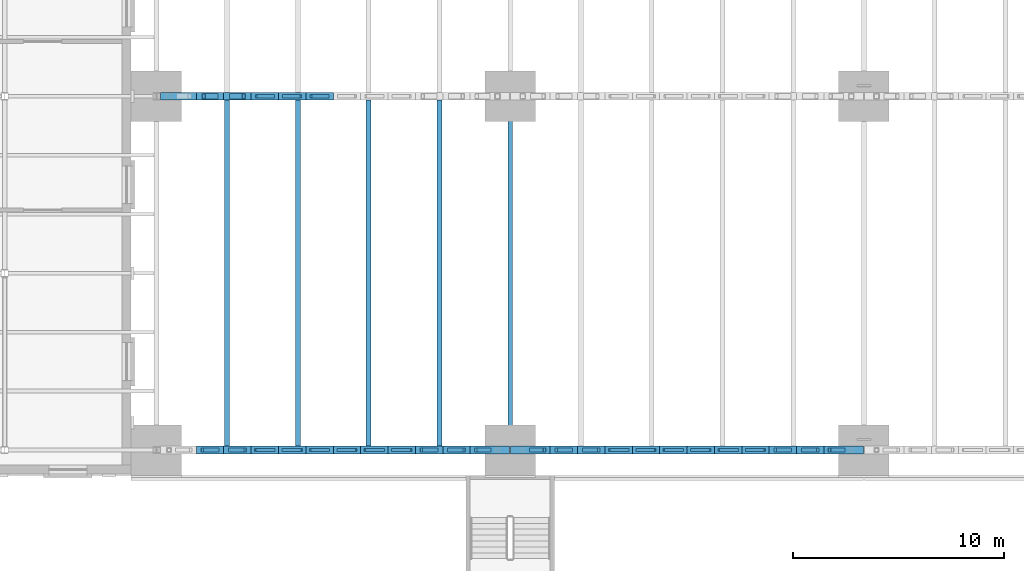
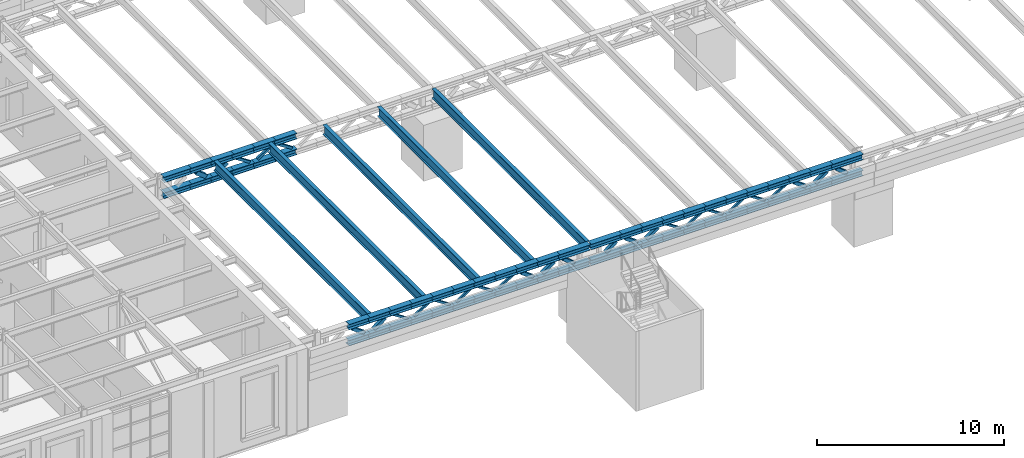
# One storey, part 17 of 93: 86 members, 5 beams.
"""IFC4 building model written with IfcOpenShell, lengths in metres."""

from ifc_helpers import new_model, si_unit, direction, frame, origin, origin_2d, place, context, subcontext, project, spatial, hollow_rectangle, i_section, extrude, material, material_profile, profile_set, type_object, element, save


model = new_model("IFC4")

# Units and contexts
model_context = context("Model", 3, precision=1e-05, world=origin(), true_north=direction((0.0, 1.0)))
body_context = subcontext(model_context, "Body", "Model", "MODEL_VIEW")
ifc_project = project(units=[si_unit("LENGTHUNIT", "METRE"), si_unit("AREAUNIT", "SQUARE_METRE"), si_unit("VOLUMEUNIT", "CUBIC_METRE"), si_unit("PLANEANGLEUNIT", "RADIAN"), si_unit("MASSUNIT", "GRAM", prefix="KILO")], contexts=[model_context])

# Site, building, storey
site_placement = place(None, origin())
site = spatial("IfcSite", under=ifc_project, at=site_placement, CompositionType="ELEMENT")
building_placement = place(site_placement, origin())
building = spatial("IfcBuilding", under=site, at=building_placement, Name="Verrick Yard Athletic Hall", CompositionType="ELEMENT")
storey_placement = place(building_placement, frame((0.0, 0.0, 8.800048828125)))
storey = spatial("IfcBuildingStorey", under=building, at=storey_placement, Name="L02", CompositionType="ELEMENT", Elevation=8.800048828125)

# Members
ifc_material_1 = material(Name="Structural steel 350W (CSA G40.21)", Category="steel")
ifc_material_profile_1 = material_profile(ifc_material_1, i_section(OverallWidth=0.368896484375, OverallDepth=0.35595703125, WebThickness=0.01123046875, FlangeThickness=0.01806640625, at=origin_2d()), Name="W360x134")
ifc_profile_set_1 = profile_set([ifc_material_profile_1], Name="Structural steel 350W (CSA G40.21)")
member_type_1 = type_object("IfcMemberType", Name="STR Edge truss bottom chord W360x134", PredefinedType="CHORD", material=ifc_profile_set_1)
for number, where, z_axis, x_axis, name in (
    (1, (41.89990234375, 19.199951171875, 3.827880859375), (1.0, 0.0, 0.0), (0.0, 1.0, 0.0), "STR-BC-GA1-2"),
    (2, (43.199951171875, 19.199951171875, 3.827880859375), (1.0, 0.0, 0.0), (0.0, 1.0, 0.0), "STR-BC-GA1-3"),
    (3, (44.5, 19.199951171875, 3.827880859375), (1.0, 0.0, 0.0), (0.0, 1.0, 0.0), "STR-BC-GA1-4"),
    (4, (45.800048828125, 19.199951171875, 3.827880859375), (1.0, 0.0, 0.0), (0.0, 1.0, 0.0), "STR-BC-GA1-5"),
):
    element("IfcMember", number, at=place(storey_placement, frame(where, z_axis=z_axis, x_axis=x_axis)), inside=storey, type_object=member_type_1, Name=name, PredefinedType="CHORD", context=body_context, shape_type="SweptSolid", body=[
        extrude(i_section(OverallWidth=0.368896484375, OverallDepth=0.35595703125, WebThickness=0.01123046875, FlangeThickness=0.01806640625, at=origin_2d()), origin(), (0.0, 0.0, 1.0), 1.300048828125),
    ])
member_1_placement = place(storey_placement, frame((47.10009765625, 19.199951171875, 3.827880859375), z_axis=(1.0, 0.0, 0.0), x_axis=(0.0, 1.0, 0.0)))
element("IfcMember", 5, at=member_1_placement, inside=storey, type_object=member_type_1, Name="STR-BC-GA1-6", PredefinedType="CHORD", context=body_context, shape_type="SweptSolid", body=[
    extrude(i_section(OverallWidth=0.368896484375, OverallDepth=0.35595703125, WebThickness=0.01123046875, FlangeThickness=0.01806640625, at=origin_2d()), origin(), (0.0, 0.0, 1.0), 1.2998046875),
])
for number, where, z_axis, x_axis, name in (
    (6, (48.39990234375, 19.199951171875, 3.827880859375), (1.0, 0.0, 0.0), (0.0, 1.0, 0.0), "STR-BC-GA1-7"),
    (7, (49.699951171875, 19.199951171875, 3.827880859375), (1.0, 0.0, 0.0), (0.0, 1.0, 0.0), "STR-BC-GA1-8"),
    (8, (51.0, 19.199951171875, 3.827880859375), (1.0, 0.0, 0.0), (0.0, 1.0, 0.0), "STR-BC-GA1-9"),
    (9, (52.300048828125, 19.199951171875, 3.827880859375), (1.0, 0.0, 0.0), (0.0, 1.0, 0.0), "STR-BC-GA1-10"),
):
    element("IfcMember", number, at=place(storey_placement, frame(where, z_axis=z_axis, x_axis=x_axis)), inside=storey, type_object=member_type_1, Name=name, PredefinedType="CHORD", context=body_context, shape_type="SweptSolid", body=[
        extrude(i_section(OverallWidth=0.368896484375, OverallDepth=0.35595703125, WebThickness=0.01123046875, FlangeThickness=0.01806640625, at=origin_2d()), origin(), (0.0, 0.0, 1.0), 1.300048828125),
    ])
member_2_placement = place(storey_placement, frame((53.60009765625, 19.199951171875, 3.827880859375), z_axis=(1.0, 0.0, 0.0), x_axis=(0.0, 1.0, 0.0)))
element("IfcMember", 10, at=member_2_placement, inside=storey, type_object=member_type_1, Name="STR-BC-GA1-11", PredefinedType="CHORD", context=body_context, shape_type="SweptSolid", body=[
    extrude(i_section(OverallWidth=0.368896484375, OverallDepth=0.35595703125, WebThickness=0.01123046875, FlangeThickness=0.01806640625, at=origin_2d()), origin(), (0.0, 0.0, 1.0), 1.2998046875),
])
for number, where, z_axis, x_axis, name in (
    (11, (54.89990234375, 19.199951171875, 3.827880859375), (1.0, 0.0, 0.0), (0.0, 1.0, 0.0), "STR-BC-GA1-12"),
    (12, (56.824951171875, 19.199951171875, 3.827880859375), (1.0, 0.0, 0.0), (0.0, 1.0, 0.0), "STR-BC-GA2-1"),
):
    element("IfcMember", number, at=place(storey_placement, frame(where, z_axis=z_axis, x_axis=x_axis)), inside=storey, type_object=member_type_1, Name=name, PredefinedType="CHORD", context=body_context, shape_type="SweptSolid", body=[
        extrude(i_section(OverallWidth=0.368896484375, OverallDepth=0.35595703125, WebThickness=0.01123046875, FlangeThickness=0.01806640625, at=origin_2d()), origin(), (0.0, 0.0, 1.0), 1.875),
    ])
for number, where, z_axis, x_axis, name in (
    (13, (58.699951171875, 19.199951171875, 3.827880859375), (1.0, 0.0, 0.0), (0.0, 1.0, 0.0), "STR-BC-GA2-2"),
    (14, (60.0, 19.199951171875, 3.827880859375), (1.0, 0.0, 0.0), (0.0, 1.0, 0.0), "STR-BC-GA2-3"),
    (15, (61.300048828125, 19.199951171875, 3.827880859375), (1.0, 0.0, 0.0), (0.0, 1.0, 0.0), "STR-BC-GA2-4"),
):
    element("IfcMember", number, at=place(storey_placement, frame(where, z_axis=z_axis, x_axis=x_axis)), inside=storey, type_object=member_type_1, Name=name, PredefinedType="CHORD", context=body_context, shape_type="SweptSolid", body=[
        extrude(i_section(OverallWidth=0.368896484375, OverallDepth=0.35595703125, WebThickness=0.01123046875, FlangeThickness=0.01806640625, at=origin_2d()), origin(), (0.0, 0.0, 1.0), 1.300048828125),
    ])
member_3_placement = place(storey_placement, frame((62.60009765625, 19.199951171875, 3.827880859375), z_axis=(1.0, 0.0, 0.0), x_axis=(0.0, 1.0, 0.0)))
element("IfcMember", 16, at=member_3_placement, inside=storey, type_object=member_type_1, Name="STR-BC-GA2-5", PredefinedType="CHORD", context=body_context, shape_type="SweptSolid", body=[
    extrude(i_section(OverallWidth=0.368896484375, OverallDepth=0.35595703125, WebThickness=0.01123046875, FlangeThickness=0.01806640625, at=origin_2d()), origin(), (0.0, 0.0, 1.0), 1.2998046875),
])
for number, where, z_axis, x_axis, name in (
    (17, (63.89990234375, 19.199951171875, 3.827880859375), (1.0, 0.0, 0.0), (0.0, 1.0, 0.0), "STR-BC-GA2-6"),
    (18, (65.199951171875, 19.199951171875, 3.827880859375), (1.0, 0.0, 0.0), (0.0, 1.0, 0.0), "STR-BC-GA2-7"),
    (19, (66.5, 19.199951171875, 3.827880859375), (1.0, 0.0, 0.0), (0.0, 1.0, 0.0), "STR-BC-GA2-8"),
    (20, (67.800048828125, 19.199951171875, 3.827880859375), (1.0, 0.0, 0.0), (0.0, 1.0, 0.0), "STR-BC-GA2-9"),
):
    element("IfcMember", number, at=place(storey_placement, frame(where, z_axis=z_axis, x_axis=x_axis)), inside=storey, type_object=member_type_1, Name=name, PredefinedType="CHORD", context=body_context, shape_type="SweptSolid", body=[
        extrude(i_section(OverallWidth=0.368896484375, OverallDepth=0.35595703125, WebThickness=0.01123046875, FlangeThickness=0.01806640625, at=origin_2d()), origin(), (0.0, 0.0, 1.0), 1.300048828125),
    ])
member_4_placement = place(storey_placement, frame((69.10009765625, 19.199951171875, 3.827880859375), z_axis=(1.0, 0.0, 0.0), x_axis=(0.0, 1.0, 0.0)))
element("IfcMember", 21, at=member_4_placement, inside=storey, type_object=member_type_1, Name="STR-BC-GA2-10", PredefinedType="CHORD", context=body_context, shape_type="SweptSolid", body=[
    extrude(i_section(OverallWidth=0.368896484375, OverallDepth=0.35595703125, WebThickness=0.01123046875, FlangeThickness=0.01806640625, at=origin_2d()), origin(), (0.0, 0.0, 1.0), 1.2998046875),
])
member_5_placement = place(storey_placement, frame((70.39990234375, 19.199951171875, 3.827880859375), z_axis=(1.0, 0.0, 0.0), x_axis=(0.0, 1.0, 0.0)))
element("IfcMember", 22, at=member_5_placement, inside=storey, type_object=member_type_1, Name="STR-BC-GA2-11", PredefinedType="CHORD", context=body_context, shape_type="SweptSolid", body=[
    extrude(i_section(OverallWidth=0.368896484375, OverallDepth=0.35595703125, WebThickness=0.01123046875, FlangeThickness=0.01806640625, at=origin_2d()), origin(), (0.0, 0.0, 1.0), 1.300048828125),
])
member_6_placement = place(storey_placement, frame((71.699951171875, 19.199951171875, 3.827880859375), z_axis=(1.0, 0.0, 0.0), x_axis=(0.0, 1.0, 0.0)))
element("IfcMember", 23, at=member_6_placement, inside=storey, type_object=member_type_1, Name="STR-BC-GA2-12", PredefinedType="CHORD", context=body_context, shape_type="SweptSolid", body=[
    extrude(i_section(OverallWidth=0.368896484375, OverallDepth=0.35595703125, WebThickness=0.01123046875, FlangeThickness=0.01806640625, at=origin_2d()), origin(), (0.0, 0.0, 1.0), 1.875),
])
ifc_material_profile_2 = material_profile(ifc_material_1, i_section(OverallWidth=0.368896484375, OverallDepth=0.35595703125, WebThickness=0.01123046875, FlangeThickness=0.01806640625, at=origin_2d()), Name="W360x134")
ifc_profile_set_2 = profile_set([ifc_material_profile_2], Name="Structural steel 350W (CSA G40.21)")
member_type_2 = type_object("IfcMemberType", Name="STR Edge truss top chord W360x134", PredefinedType="CHORD", material=ifc_profile_set_2)
for number, where, z_axis, x_axis, name in (
    (24, (41.89990234375, 19.199951171875, 4.8720703125), (1.0, 0.0, 0.0), (0.0, 1.0, 0.0), "STR-TC-GA1-2"),
    (25, (43.199951171875, 19.199951171875, 4.8720703125), (1.0, 0.0, 0.0), (0.0, 1.0, 0.0), "STR-TC-GA1-3"),
    (26, (44.5, 19.199951171875, 4.8720703125), (1.0, 0.0, 0.0), (0.0, 1.0, 0.0), "STR-TC-GA1-4"),
    (27, (45.800048828125, 19.199951171875, 4.8720703125), (1.0, 0.0, 0.0), (0.0, 1.0, 0.0), "STR-TC-GA1-5"),
):
    element("IfcMember", number, at=place(storey_placement, frame(where, z_axis=z_axis, x_axis=x_axis)), inside=storey, type_object=member_type_2, Name=name, PredefinedType="CHORD", context=body_context, shape_type="SweptSolid", body=[
        extrude(i_section(OverallWidth=0.368896484375, OverallDepth=0.35595703125, WebThickness=0.01123046875, FlangeThickness=0.01806640625, at=origin_2d()), origin(), (0.0, 0.0, 1.0), 1.300048828125),
    ])
member_7_placement = place(storey_placement, frame((47.10009765625, 19.199951171875, 4.8720703125), z_axis=(1.0, 0.0, 0.0), x_axis=(0.0, 1.0, 0.0)))
element("IfcMember", 28, at=member_7_placement, inside=storey, type_object=member_type_2, Name="STR-TC-GA1-6", PredefinedType="CHORD", context=body_context, shape_type="SweptSolid", body=[
    extrude(i_section(OverallWidth=0.368896484375, OverallDepth=0.35595703125, WebThickness=0.01123046875, FlangeThickness=0.01806640625, at=origin_2d()), origin(), (0.0, 0.0, 1.0), 1.2998046875),
])
for number, where, z_axis, x_axis, name in (
    (29, (48.39990234375, 19.199951171875, 4.8720703125), (1.0, 0.0, 0.0), (0.0, 1.0, 0.0), "STR-TC-GA1-7"),
    (30, (49.699951171875, 19.199951171875, 4.8720703125), (1.0, 0.0, 0.0), (0.0, 1.0, 0.0), "STR-TC-GA1-8"),
    (31, (51.0, 19.199951171875, 4.8720703125), (1.0, 0.0, 0.0), (0.0, 1.0, 0.0), "STR-TC-GA1-9"),
    (32, (52.300048828125, 19.199951171875, 4.8720703125), (1.0, 0.0, 0.0), (0.0, 1.0, 0.0), "STR-TC-GA1-10"),
):
    element("IfcMember", number, at=place(storey_placement, frame(where, z_axis=z_axis, x_axis=x_axis)), inside=storey, type_object=member_type_2, Name=name, PredefinedType="CHORD", context=body_context, shape_type="SweptSolid", body=[
        extrude(i_section(OverallWidth=0.368896484375, OverallDepth=0.35595703125, WebThickness=0.01123046875, FlangeThickness=0.01806640625, at=origin_2d()), origin(), (0.0, 0.0, 1.0), 1.300048828125),
    ])
member_8_placement = place(storey_placement, frame((53.60009765625, 19.199951171875, 4.8720703125), z_axis=(1.0, 0.0, 0.0), x_axis=(0.0, 1.0, 0.0)))
element("IfcMember", 33, at=member_8_placement, inside=storey, type_object=member_type_2, Name="STR-TC-GA1-11", PredefinedType="CHORD", context=body_context, shape_type="SweptSolid", body=[
    extrude(i_section(OverallWidth=0.368896484375, OverallDepth=0.35595703125, WebThickness=0.01123046875, FlangeThickness=0.01806640625, at=origin_2d()), origin(), (0.0, 0.0, 1.0), 1.2998046875),
])
for number, where, z_axis, x_axis, name in (
    (34, (54.89990234375, 19.199951171875, 4.8720703125), (1.0, 0.0, 0.0), (0.0, 1.0, 0.0), "STR-TC-GA1-12"),
    (35, (56.824951171875, 19.199951171875, 4.8720703125), (1.0, 0.0, 0.0), (0.0, 1.0, 0.0), "STR-TC-GA2-1"),
):
    element("IfcMember", number, at=place(storey_placement, frame(where, z_axis=z_axis, x_axis=x_axis)), inside=storey, type_object=member_type_2, Name=name, PredefinedType="CHORD", context=body_context, shape_type="SweptSolid", body=[
        extrude(i_section(OverallWidth=0.368896484375, OverallDepth=0.35595703125, WebThickness=0.01123046875, FlangeThickness=0.01806640625, at=origin_2d()), origin(), (0.0, 0.0, 1.0), 1.875),
    ])
for number, where, z_axis, x_axis, name in (
    (36, (58.699951171875, 19.199951171875, 4.8720703125), (1.0, 0.0, 0.0), (0.0, 1.0, 0.0), "STR-TC-GA2-2"),
    (37, (60.0, 19.199951171875, 4.8720703125), (1.0, 0.0, 0.0), (0.0, 1.0, 0.0), "STR-TC-GA2-3"),
    (38, (61.300048828125, 19.199951171875, 4.8720703125), (1.0, 0.0, 0.0), (0.0, 1.0, 0.0), "STR-TC-GA2-4"),
):
    element("IfcMember", number, at=place(storey_placement, frame(where, z_axis=z_axis, x_axis=x_axis)), inside=storey, type_object=member_type_2, Name=name, PredefinedType="CHORD", context=body_context, shape_type="SweptSolid", body=[
        extrude(i_section(OverallWidth=0.368896484375, OverallDepth=0.35595703125, WebThickness=0.01123046875, FlangeThickness=0.01806640625, at=origin_2d()), origin(), (0.0, 0.0, 1.0), 1.300048828125),
    ])
member_9_placement = place(storey_placement, frame((62.60009765625, 19.199951171875, 4.8720703125), z_axis=(1.0, 0.0, 0.0), x_axis=(0.0, 1.0, 0.0)))
element("IfcMember", 39, at=member_9_placement, inside=storey, type_object=member_type_2, Name="STR-TC-GA2-5", PredefinedType="CHORD", context=body_context, shape_type="SweptSolid", body=[
    extrude(i_section(OverallWidth=0.368896484375, OverallDepth=0.35595703125, WebThickness=0.01123046875, FlangeThickness=0.01806640625, at=origin_2d()), origin(), (0.0, 0.0, 1.0), 1.2998046875),
])
for number, where, z_axis, x_axis, name in (
    (40, (63.89990234375, 19.199951171875, 4.8720703125), (1.0, 0.0, 0.0), (0.0, 1.0, 0.0), "STR-TC-GA2-6"),
    (41, (65.199951171875, 19.199951171875, 4.8720703125), (1.0, 0.0, 0.0), (0.0, 1.0, 0.0), "STR-TC-GA2-7"),
    (42, (66.5, 19.199951171875, 4.8720703125), (1.0, 0.0, 0.0), (0.0, 1.0, 0.0), "STR-TC-GA2-8"),
    (43, (67.800048828125, 19.199951171875, 4.8720703125), (1.0, 0.0, 0.0), (0.0, 1.0, 0.0), "STR-TC-GA2-9"),
):
    element("IfcMember", number, at=place(storey_placement, frame(where, z_axis=z_axis, x_axis=x_axis)), inside=storey, type_object=member_type_2, Name=name, PredefinedType="CHORD", context=body_context, shape_type="SweptSolid", body=[
        extrude(i_section(OverallWidth=0.368896484375, OverallDepth=0.35595703125, WebThickness=0.01123046875, FlangeThickness=0.01806640625, at=origin_2d()), origin(), (0.0, 0.0, 1.0), 1.300048828125),
    ])
member_10_placement = place(storey_placement, frame((69.10009765625, 19.199951171875, 4.8720703125), z_axis=(1.0, 0.0, 0.0), x_axis=(0.0, 1.0, 0.0)))
element("IfcMember", 44, at=member_10_placement, inside=storey, type_object=member_type_2, Name="STR-TC-GA2-10", PredefinedType="CHORD", context=body_context, shape_type="SweptSolid", body=[
    extrude(i_section(OverallWidth=0.368896484375, OverallDepth=0.35595703125, WebThickness=0.01123046875, FlangeThickness=0.01806640625, at=origin_2d()), origin(), (0.0, 0.0, 1.0), 1.2998046875),
])
member_11_placement = place(storey_placement, frame((70.39990234375, 19.199951171875, 4.8720703125), z_axis=(1.0, 0.0, 0.0), x_axis=(0.0, 1.0, 0.0)))
element("IfcMember", 45, at=member_11_placement, inside=storey, type_object=member_type_2, Name="STR-TC-GA2-11", PredefinedType="CHORD", context=body_context, shape_type="SweptSolid", body=[
    extrude(i_section(OverallWidth=0.368896484375, OverallDepth=0.35595703125, WebThickness=0.01123046875, FlangeThickness=0.01806640625, at=origin_2d()), origin(), (0.0, 0.0, 1.0), 1.300048828125),
])
member_12_placement = place(storey_placement, frame((71.699951171875, 19.199951171875, 4.8720703125), z_axis=(1.0, 0.0, 0.0), x_axis=(0.0, 1.0, 0.0)))
element("IfcMember", 46, at=member_12_placement, inside=storey, type_object=member_type_2, Name="STR-TC-GA2-12", PredefinedType="CHORD", context=body_context, shape_type="SweptSolid", body=[
    extrude(i_section(OverallWidth=0.368896484375, OverallDepth=0.35595703125, WebThickness=0.01123046875, FlangeThickness=0.01806640625, at=origin_2d()), origin(), (0.0, 0.0, 1.0), 1.875),
])
ifc_material_2 = material(Name="Structural steel HSS Class C 350W (CSA G40.20/G40.21)", Category="steel")
ifc_material_profile_3 = material_profile(ifc_material_2, hollow_rectangle(XDim=0.126953125, YDim=0.126953125, WallThickness=0.009521484375, at=origin_2d()), Name="HSS127x127x9.5")
ifc_profile_set_3 = profile_set([ifc_material_profile_3], Name="Structural steel HSS Class C 350W (CSA G40.20/G40.21)")
member_type_3 = type_object("IfcMemberType", Name="STR Edge truss web HSS127x127x9.5", PredefinedType="BRACE", material=ifc_profile_set_3)
for number, where, z_axis, x_axis, name in (
    (47, (44.702392578125, 19.199951171875, 4.641357421875), (0.838083139624, 0.0, -0.54554252912), (0.0, 1.0, 0.0), "STR-TW-GA1-4"),
    (48, (46.00244140625, 19.199951171875, 4.05859375), (0.838083139624, 0.0, 0.54554252912), (0.0, 1.0, 0.0), "STR-TW-GA1-5"),
):
    element("IfcMember", number, at=place(storey_placement, frame(where, z_axis=z_axis, x_axis=x_axis)), inside=storey, type_object=member_type_3, Name=name, PredefinedType="BRACE", context=body_context, shape_type="SweptSolid", body=[
        extrude(hollow_rectangle(XDim=0.126953125, YDim=0.126953125, WallThickness=0.009521484375, at=origin_2d()), origin(), (0.0, 0.0, 1.0), 1.068115234375),
    ])
member_13_placement = place(storey_placement, frame((47.30224609375, 19.199951171875, 4.641357421875), z_axis=(0.838151139583, 0.0, -0.545438050759), x_axis=(0.0, 1.0, 0.0)))
element("IfcMember", 49, at=member_13_placement, inside=storey, type_object=member_type_3, Name="STR-TW-GA1-6", PredefinedType="BRACE", context=body_context, shape_type="SweptSolid", body=[
    extrude(hollow_rectangle(XDim=0.126953125, YDim=0.126953125, WallThickness=0.009521484375, at=origin_2d()), origin(), (0.0, 0.0, 1.0), 1.068359375),
])
for number, where, z_axis, x_axis, name in (
    (50, (48.602294921875, 19.199951171875, 4.05859375), (0.838083139624, 0.0, 0.54554252912), (0.0, 1.0, 0.0), "STR-TW-GA1-7"),
    (51, (49.90234375, 19.199951171875, 4.641357421875), (0.838083139624, 0.0, -0.54554252912), (0.0, 1.0, 0.0), "STR-TW-GA1-8"),
    (52, (51.202392578125, 19.199951171875, 4.05859375), (0.838083139624, 0.0, 0.54554252912), (0.0, 1.0, 0.0), "STR-TW-GA1-9"),
    (53, (61.50244140625, 19.199951171875, 4.641357421875), (0.838083139624, 0.0, -0.54554252912), (0.0, 1.0, 0.0), "STR-TW-GA2-4"),
):
    element("IfcMember", number, at=place(storey_placement, frame(where, z_axis=z_axis, x_axis=x_axis)), inside=storey, type_object=member_type_3, Name=name, PredefinedType="BRACE", context=body_context, shape_type="SweptSolid", body=[
        extrude(hollow_rectangle(XDim=0.126953125, YDim=0.126953125, WallThickness=0.009521484375, at=origin_2d()), origin(), (0.0, 0.0, 1.0), 1.068115234375),
    ])
member_14_placement = place(storey_placement, frame((62.80224609375, 19.199951171875, 4.05859375), z_axis=(0.838151139583, 0.0, 0.545438050759), x_axis=(0.0, 1.0, 0.0)))
element("IfcMember", 54, at=member_14_placement, inside=storey, type_object=member_type_3, Name="STR-TW-GA2-5", PredefinedType="BRACE", context=body_context, shape_type="SweptSolid", body=[
    extrude(hollow_rectangle(XDim=0.126953125, YDim=0.126953125, WallThickness=0.009521484375, at=origin_2d()), origin(), (0.0, 0.0, 1.0), 1.068359375),
])
for number, where, z_axis, x_axis, name in (
    (55, (64.102294921875, 19.199951171875, 4.641357421875), (0.838083139624, 0.0, -0.54554252912), (0.0, 1.0, 0.0), "STR-TW-GA2-6"),
    (56, (65.40234375, 19.199951171875, 4.05859375), (0.838083139624, 0.0, 0.54554252912), (0.0, 1.0, 0.0), "STR-TW-GA2-7"),
    (57, (66.702392578125, 19.199951171875, 4.641357421875), (0.838083139624, 0.0, -0.54554252912), (0.0, 1.0, 0.0), "STR-TW-GA2-8"),
    (58, (68.00244140625, 19.199951171875, 4.05859375), (0.838083139624, 0.0, 0.54554252912), (0.0, 1.0, 0.0), "STR-TW-GA2-9"),
):
    element("IfcMember", number, at=place(storey_placement, frame(where, z_axis=z_axis, x_axis=x_axis)), inside=storey, type_object=member_type_3, Name=name, PredefinedType="BRACE", context=body_context, shape_type="SweptSolid", body=[
        extrude(hollow_rectangle(XDim=0.126953125, YDim=0.126953125, WallThickness=0.009521484375, at=origin_2d()), origin(), (0.0, 0.0, 1.0), 1.068115234375),
    ])
ifc_material_profile_4 = material_profile(ifc_material_2, hollow_rectangle(XDim=0.203125, YDim=0.203125, WallThickness=0.0126953125, at=origin_2d()), Name="HSS203x203x13")
ifc_profile_set_4 = profile_set([ifc_material_profile_4], Name="Structural steel HSS Class C 350W (CSA G40.20/G40.21)")
member_type_4 = type_object("IfcMemberType", Name="STR Edge truss web HSS203x203x13", PredefinedType="BRACE", material=ifc_profile_set_4)
member_15_placement = place(storey_placement, frame((42.189697265625, 19.199951171875, 4.6123046875), z_axis=(0.808333297144, 0.0, -0.588725131728), x_axis=(0.0, 1.0, 0.0)))
element("IfcMember", 59, at=member_15_placement, inside=storey, type_object=member_type_4, Name="STR-TW-GA1-2", PredefinedType="BRACE", context=body_context, shape_type="SweptSolid", body=[
    extrude(hollow_rectangle(XDim=0.203125, YDim=0.203125, WallThickness=0.0126953125, at=origin_2d()), origin(), (0.0, 0.0, 1.0), 0.8916015625),
])
member_16_placement = place(storey_placement, frame((43.489501953125, 19.199951171875, 4.08740234375), z_axis=(0.808428172865, 0.0, 0.588594843095), x_axis=(0.0, 1.0, 0.0)))
element("IfcMember", 60, at=member_16_placement, inside=storey, type_object=member_type_4, Name="STR-TW-GA1-3", PredefinedType="BRACE", context=body_context, shape_type="SweptSolid", body=[
    extrude(hollow_rectangle(XDim=0.203125, YDim=0.203125, WallThickness=0.0126953125, at=origin_2d()), origin(), (0.0, 0.0, 1.0), 0.891845703125),
])
for number, where, z_axis, x_axis, name in (
    (61, (52.589599609375, 19.199951171875, 4.6123046875), (0.808333297144, 0.0, -0.588725131728), (0.0, 1.0, 0.0), "STR-TW-GA1-10"),
    (62, (53.8896484375, 19.199951171875, 4.08740234375), (0.808333297144, 0.0, 0.588725131728), (0.0, 1.0, 0.0), "STR-TW-GA1-11"),
):
    element("IfcMember", number, at=place(storey_placement, frame(where, z_axis=z_axis, x_axis=x_axis)), inside=storey, type_object=member_type_4, Name=name, PredefinedType="BRACE", context=body_context, shape_type="SweptSolid", body=[
        extrude(hollow_rectangle(XDim=0.203125, YDim=0.203125, WallThickness=0.0126953125, at=origin_2d()), origin(), (0.0, 0.0, 1.0), 0.8916015625),
    ])
member_17_placement = place(storey_placement, frame((55.16552734375, 19.199951171875, 4.615234375), z_axis=(0.780503800734, 0.0, -0.625151035383), x_axis=(0.0, 1.0, 0.0)))
element("IfcMember", 63, at=member_17_placement, inside=storey, type_object=member_type_4, Name="STR-TW-GA1-12", PredefinedType="BRACE", context=body_context, shape_type="SweptSolid", body=[
    extrude(hollow_rectangle(XDim=0.203125, YDim=0.203125, WallThickness=0.0126953125, at=origin_2d()), origin(), (0.0, 0.0, 1.0), 0.8486328125),
])
member_18_placement = place(storey_placement, frame((57.772216796875, 19.199951171875, 4.084716796875), z_axis=(0.780391329508, 0.0, 0.625291430318), x_axis=(0.0, 1.0, 0.0)))
element("IfcMember", 64, at=member_18_placement, inside=storey, type_object=member_type_4, Name="STR-TW-GA2-1", PredefinedType="BRACE", context=body_context, shape_type="SweptSolid", body=[
    extrude(hollow_rectangle(XDim=0.203125, YDim=0.203125, WallThickness=0.0126953125, at=origin_2d()), origin(), (0.0, 0.0, 1.0), 0.848388671875),
])
for number, where, z_axis, x_axis, name in (
    (65, (58.989501953125, 19.199951171875, 4.6123046875), (0.808428172865, 0.0, -0.588594843095), (0.0, 1.0, 0.0), "STR-TW-GA2-2"),
    (66, (60.28955078125, 19.199951171875, 4.08740234375), (0.808428172865, 0.0, 0.588594843095), (0.0, 1.0, 0.0), "STR-TW-GA2-3"),
):
    element("IfcMember", number, at=place(storey_placement, frame(where, z_axis=z_axis, x_axis=x_axis)), inside=storey, type_object=member_type_4, Name=name, PredefinedType="BRACE", context=body_context, shape_type="SweptSolid", body=[
        extrude(hollow_rectangle(XDim=0.203125, YDim=0.203125, WallThickness=0.0126953125, at=origin_2d()), origin(), (0.0, 0.0, 1.0), 0.891845703125),
    ])
for number, where, z_axis, x_axis, name in (
    (67, (69.3896484375, 19.199951171875, 4.6123046875), (0.808333297144, 0.0, -0.588725131728), (0.0, 1.0, 0.0), "STR-TW-GA2-10"),
    (68, (70.689697265625, 19.199951171875, 4.08740234375), (0.808333297144, 0.0, 0.588725131728), (0.0, 1.0, 0.0), "STR-TW-GA2-11"),
):
    element("IfcMember", number, at=place(storey_placement, frame(where, z_axis=z_axis, x_axis=x_axis)), inside=storey, type_object=member_type_4, Name=name, PredefinedType="BRACE", context=body_context, shape_type="SweptSolid", body=[
        extrude(hollow_rectangle(XDim=0.203125, YDim=0.203125, WallThickness=0.0126953125, at=origin_2d()), origin(), (0.0, 0.0, 1.0), 0.8916015625),
    ])
member_19_placement = place(storey_placement, frame((71.965576171875, 19.199951171875, 4.615234375), z_axis=(0.780391329508, 0.0, -0.625291430318), x_axis=(0.0, 1.0, 0.0)))
element("IfcMember", 69, at=member_19_placement, inside=storey, type_object=member_type_4, Name="STR-TW-GA2-12", PredefinedType="BRACE", context=body_context, shape_type="SweptSolid", body=[
    extrude(hollow_rectangle(XDim=0.203125, YDim=0.203125, WallThickness=0.0126953125, at=origin_2d()), origin(), (0.0, 0.0, 1.0), 0.848388671875),
])

# Beams
ifc_material_profile_5 = material_profile(ifc_material_1, i_section(OverallWidth=0.22802734375, OverallDepth=0.60791015625, WebThickness=0.01123046875, FlangeThickness=0.017333984375, at=origin_2d()), Name="W610x113")
ifc_profile_set_5 = profile_set([ifc_material_profile_5], Name="Structural steel 350W (CSA G40.21)")
beam_type = type_object("IfcBeamType", Name="STR Secondary beam W610x113", PredefinedType="BEAM", material=ifc_profile_set_5)
for number, where, z_axis, x_axis, name in (
    (70, (43.360107421875, 19.384521484375, 4.745849609375), (0.0, 1.0, 0.0), (-1.0, 0.0, 0.0), "STR-SB-S111"),
    (71, (46.719970703125, 19.384521484375, 4.745849609375), (0.0, 1.0, 0.0), (-1.0, 0.0, 0.0), "STR-SB-S112"),
    (72, (50.080078125, 19.384521484375, 4.745849609375), (0.0, 1.0, 0.0), (-1.0, 0.0, 0.0), "STR-SB-S113"),
    (73, (53.43994140625, 19.384521484375, 4.745849609375), (0.0, 1.0, 0.0), (-1.0, 0.0, 0.0), "STR-SB-S114"),
    (74, (56.800048828125, 19.384521484375, 4.745849609375), (0.0, 1.0, 0.0), (-1.0, 0.0, 0.0), "STR-SB-X2A"),
):
    element("IfcBeam", number, at=place(storey_placement, frame(where, z_axis=z_axis, x_axis=x_axis)), inside=storey, type_object=beam_type, Name=name, PredefinedType="BEAM", context=body_context, shape_type="SweptSolid", body=[
        extrude(i_section(OverallWidth=0.22802734375, OverallDepth=0.60791015625, WebThickness=0.01123046875, FlangeThickness=0.017333984375, at=origin_2d()), origin(), (0.0, 0.0, 1.0), 16.428466796875),
    ])

# Members
ifc_material_profile_6 = material_profile(ifc_material_1, i_section(OverallWidth=0.3740234375, OverallDepth=0.3720703125, WebThickness=0.016357421875, FlangeThickness=0.026123046875, at=origin_2d()), Name="W360x196")
ifc_profile_set_6 = profile_set([ifc_material_profile_6], Name="Structural steel 350W (CSA G40.21)")
member_type_5 = type_object("IfcMemberType", Name="STR Truss bottom chord W360x196", PredefinedType="CHORD", material=ifc_profile_set_6)
member_20_placement = place(storey_placement, frame((40.199951171875, 36.0, 3.8359375), z_axis=(1.0, 0.0, 0.0), x_axis=(0.0, 1.0, 0.0)))
element("IfcMember", 75, at=member_20_placement, inside=storey, type_object=member_type_5, Name="STR-BC-GB1-1", PredefinedType="CHORD", context=body_context, shape_type="SweptSolid", body=[
    extrude(i_section(OverallWidth=0.3740234375, OverallDepth=0.3720703125, WebThickness=0.016357421875, FlangeThickness=0.026123046875, at=origin_2d()), origin(), (0.0, 0.0, 1.0), 1.699951171875),
])
for number, where, z_axis, x_axis, name in (
    (76, (41.89990234375, 36.0, 3.8359375), (1.0, 0.0, 0.0), (0.0, 1.0, 0.0), "STR-BC-GB1-2"),
    (77, (43.199951171875, 36.0, 3.8359375), (1.0, 0.0, 0.0), (0.0, 1.0, 0.0), "STR-BC-GB1-3"),
    (78, (44.5, 36.0, 3.8359375), (1.0, 0.0, 0.0), (0.0, 1.0, 0.0), "STR-BC-GB1-4"),
    (79, (45.800048828125, 36.0, 3.8359375), (1.0, 0.0, 0.0), (0.0, 1.0, 0.0), "STR-BC-GB1-5"),
):
    element("IfcMember", number, at=place(storey_placement, frame(where, z_axis=z_axis, x_axis=x_axis)), inside=storey, type_object=member_type_5, Name=name, PredefinedType="CHORD", context=body_context, shape_type="SweptSolid", body=[
        extrude(i_section(OverallWidth=0.3740234375, OverallDepth=0.3720703125, WebThickness=0.016357421875, FlangeThickness=0.026123046875, at=origin_2d()), origin(), (0.0, 0.0, 1.0), 1.300048828125),
    ])
member_21_placement = place(storey_placement, frame((47.10009765625, 36.0, 3.8359375), z_axis=(1.0, 0.0, 0.0), x_axis=(0.0, 1.0, 0.0)))
element("IfcMember", 80, at=member_21_placement, inside=storey, type_object=member_type_5, Name="STR-BC-GB1-6", PredefinedType="CHORD", context=body_context, shape_type="SweptSolid", body=[
    extrude(i_section(OverallWidth=0.3740234375, OverallDepth=0.3720703125, WebThickness=0.016357421875, FlangeThickness=0.026123046875, at=origin_2d()), origin(), (0.0, 0.0, 1.0), 1.2998046875),
])
ifc_material_profile_7 = material_profile(ifc_material_1, i_section(OverallWidth=0.3740234375, OverallDepth=0.3720703125, WebThickness=0.016357421875, FlangeThickness=0.026123046875, at=origin_2d()), Name="W360x196")
ifc_profile_set_7 = profile_set([ifc_material_profile_7], Name="Structural steel 350W (CSA G40.21)")
member_type_6 = type_object("IfcMemberType", Name="STR Truss top chord W360x196", PredefinedType="CHORD", material=ifc_profile_set_7)
member_22_placement = place(storey_placement, frame((40.199951171875, 36.0, 4.864013671875), z_axis=(1.0, 0.0, 0.0), x_axis=(0.0, 1.0, 0.0)))
element("IfcMember", 81, at=member_22_placement, inside=storey, type_object=member_type_6, Name="STR-TC-GB1-1", PredefinedType="CHORD", context=body_context, shape_type="SweptSolid", body=[
    extrude(i_section(OverallWidth=0.3740234375, OverallDepth=0.3720703125, WebThickness=0.016357421875, FlangeThickness=0.026123046875, at=origin_2d()), origin(), (0.0, 0.0, 1.0), 1.699951171875),
])
for number, where, z_axis, x_axis, name in (
    (82, (41.89990234375, 36.0, 4.864013671875), (1.0, 0.0, 0.0), (0.0, 1.0, 0.0), "STR-TC-GB1-2"),
    (83, (43.199951171875, 36.0, 4.864013671875), (1.0, 0.0, 0.0), (0.0, 1.0, 0.0), "STR-TC-GB1-3"),
    (84, (44.5, 36.0, 4.864013671875), (1.0, 0.0, 0.0), (0.0, 1.0, 0.0), "STR-TC-GB1-4"),
    (85, (45.800048828125, 36.0, 4.864013671875), (1.0, 0.0, 0.0), (0.0, 1.0, 0.0), "STR-TC-GB1-5"),
):
    element("IfcMember", number, at=place(storey_placement, frame(where, z_axis=z_axis, x_axis=x_axis)), inside=storey, type_object=member_type_6, Name=name, PredefinedType="CHORD", context=body_context, shape_type="SweptSolid", body=[
        extrude(i_section(OverallWidth=0.3740234375, OverallDepth=0.3720703125, WebThickness=0.016357421875, FlangeThickness=0.026123046875, at=origin_2d()), origin(), (0.0, 0.0, 1.0), 1.300048828125),
    ])
member_23_placement = place(storey_placement, frame((47.10009765625, 36.0, 4.864013671875), z_axis=(1.0, 0.0, 0.0), x_axis=(0.0, 1.0, 0.0)))
element("IfcMember", 86, at=member_23_placement, inside=storey, type_object=member_type_6, Name="STR-TC-GB1-6", PredefinedType="CHORD", context=body_context, shape_type="SweptSolid", body=[
    extrude(i_section(OverallWidth=0.3740234375, OverallDepth=0.3720703125, WebThickness=0.016357421875, FlangeThickness=0.026123046875, at=origin_2d()), origin(), (0.0, 0.0, 1.0), 1.2998046875),
])
ifc_material_profile_8 = material_profile(ifc_material_2, hollow_rectangle(XDim=0.15234375, YDim=0.15234375, WallThickness=0.009521484375, at=origin_2d()), Name="HSS152x152x9.5")
ifc_profile_set_8 = profile_set([ifc_material_profile_8], Name="Structural steel HSS Class C 350W (CSA G40.20/G40.21)")
member_type_7 = type_object("IfcMemberType", Name="STR Truss web HSS152x152x9.5", PredefinedType="BRACE", material=ifc_profile_set_8)
member_24_placement = place(storey_placement, frame((44.742431640625, 36.0, 4.614501953125), z_axis=(0.838713241607, 0.0, -0.544573317701), x_axis=(0.0, 1.0, 0.0)))
element("IfcMember", 87, at=member_24_placement, inside=storey, type_object=member_type_7, Name="STR-TW-GB1-4", PredefinedType="BRACE", context=body_context, shape_type="SweptSolid", body=[
    extrude(hollow_rectangle(XDim=0.15234375, YDim=0.15234375, WallThickness=0.009521484375, at=origin_2d()), origin(), (0.0, 0.0, 1.0), 0.971923828125),
])
for number, where, z_axis, x_axis, name in (
    (88, (46.04248046875, 36.0, 4.085205078125), (0.838638726033, 0.0, 0.544688064122), (0.0, 1.0, 0.0), "STR-TW-GB1-5"),
    (89, (47.342529296875, 36.0, 4.614501953125), (0.838638726033, 0.0, -0.544688064122), (0.0, 1.0, 0.0), "STR-TW-GB1-6"),
):
    element("IfcMember", number, at=place(storey_placement, frame(where, z_axis=z_axis, x_axis=x_axis)), inside=storey, type_object=member_type_7, Name=name, PredefinedType="BRACE", context=body_context, shape_type="SweptSolid", body=[
        extrude(hollow_rectangle(XDim=0.15234375, YDim=0.15234375, WallThickness=0.009521484375, at=origin_2d()), origin(), (0.0, 0.0, 1.0), 0.9716796875),
    ])
ifc_material_profile_9 = material_profile(ifc_material_2, hollow_rectangle(XDim=0.25390625, YDim=0.25390625, WallThickness=0.0126953125, at=origin_2d()), Name="HSS254x254x13")
ifc_profile_set_9 = profile_set([ifc_material_profile_9], Name="Structural steel HSS Class C 350W (CSA G40.20/G40.21)")
member_type_8 = type_object("IfcMemberType", Name="STR Truss web HSS254x254x13", PredefinedType="BRACE", material=ifc_profile_set_9)
for number, where, z_axis, x_axis, name in (
    (90, (42.2490234375, 36.0, 4.5771484375), (0.798092207374, 0.0, -0.602535333843), (0.0, 1.0, 0.0), "STR-TW-GB1-2"),
    (91, (43.549072265625, 36.0, 4.122802734375), (0.798092207374, 0.0, 0.602535333843), (0.0, 1.0, 0.0), "STR-TW-GB1-3"),
):
    element("IfcMember", number, at=place(storey_placement, frame(where, z_axis=z_axis, x_axis=x_axis)), inside=storey, type_object=member_type_8, Name=name, PredefinedType="BRACE", context=body_context, shape_type="SweptSolid", body=[
        extrude(hollow_rectangle(XDim=0.25390625, YDim=0.25390625, WallThickness=0.0126953125, at=origin_2d()), origin(), (0.0, 0.0, 1.0), 0.754150390625),
    ])

save(model, "model.ifc")
